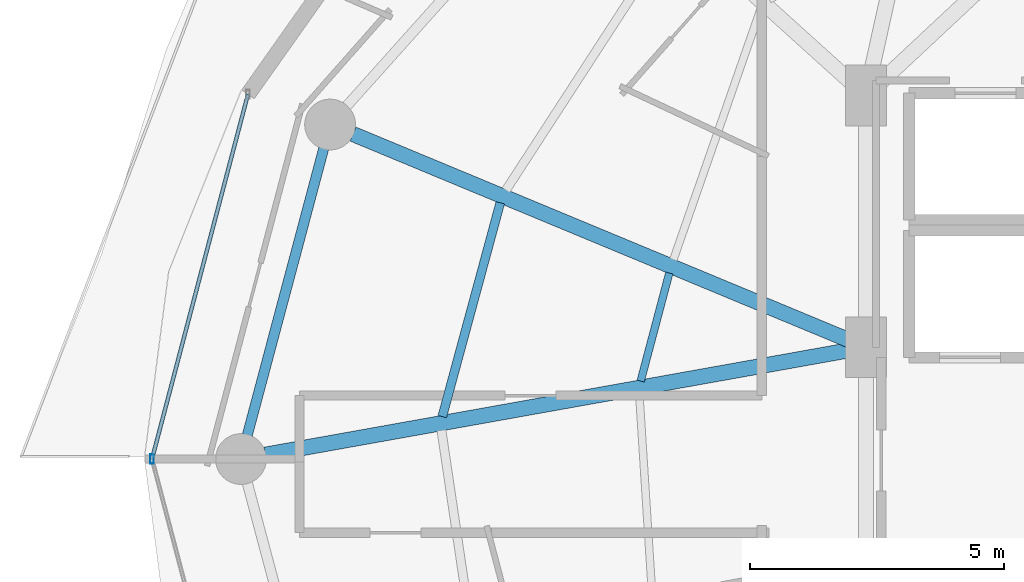
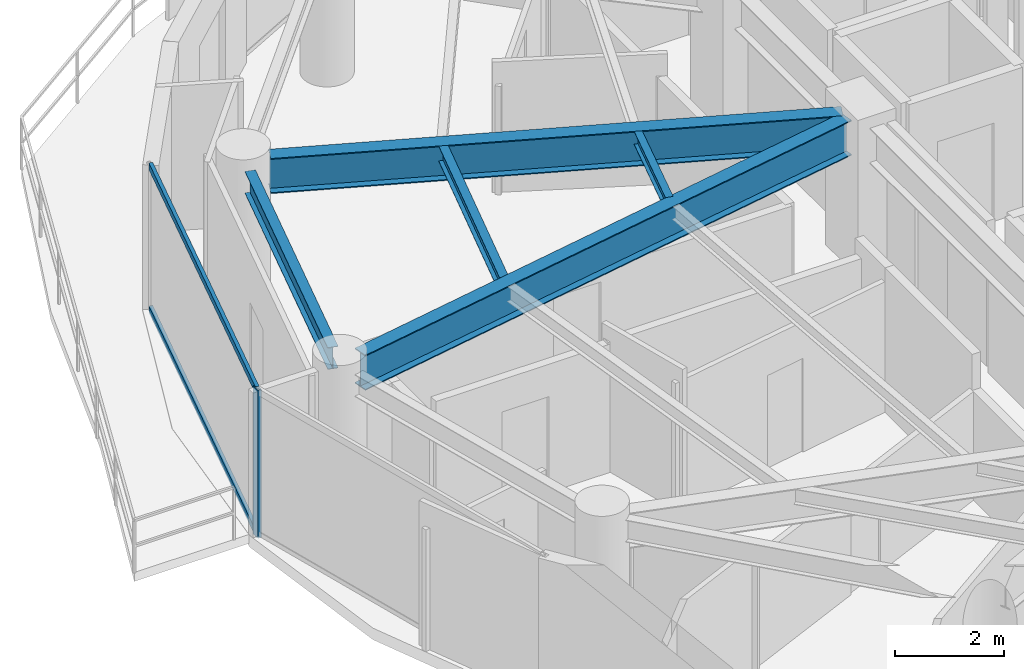
# One storey, part 8 of 31: 5 beams, 3 members, 1 element without a shape of its own.
"""IFC4 building model written with IfcOpenShell, lengths in metres."""

from ifc_helpers import new_model, si_unit, direction, frame, origin, origin_2d, place, context, subcontext, project, spatial, hollow_rectangle, i_section, extrude, material, material_profile, profile_set, type_object, element, aggregate, save


model = new_model("IFC4")

# Units and contexts
model_context = context("Model", 3, precision=1e-05, world=origin(), true_north=direction((0.0, 1.0)))
body_context = subcontext(model_context, "Body", "Model", "MODEL_VIEW")
ifc_project = project(units=[si_unit("LENGTHUNIT", "METRE"), si_unit("AREAUNIT", "SQUARE_METRE"), si_unit("VOLUMEUNIT", "CUBIC_METRE"), si_unit("PLANEANGLEUNIT", "RADIAN"), si_unit("MASSUNIT", "GRAM", prefix="KILO")], contexts=[model_context])

# Site, building, storey
site_placement = place(None, origin())
site = spatial("IfcSite", under=ifc_project, at=site_placement, CompositionType="ELEMENT")
building_placement = place(site_placement, origin())
building = spatial("IfcBuilding", under=site, at=building_placement, Name="Vorneva Point Tower", CompositionType="ELEMENT")
storey_placement = place(building_placement, frame((0.0, 0.0, 132.60009765625)))
storey = spatial("IfcBuildingStorey", under=building, at=storey_placement, Name="L35", CompositionType="ELEMENT", Elevation=132.60009765625)

# Beams
ifc_material_1 = material(Name="Steel S355", Category="steel")
ifc_material_profile_1 = material_profile(ifc_material_1, i_section(OverallWidth=0.300048828125, OverallDepth=0.7880859375, WebThickness=0.014404296875, FlangeThickness=0.02197265625, at=origin_2d()), Name="80Sh1")
ifc_profile_set_1 = profile_set([ifc_material_profile_1], Name="Steel S355")
beam_type_1 = type_object("IfcBeamType", Name="BM-GRD-80Sh1", PredefinedType="USERDEFINED", material=ifc_profile_set_1)
beam_1_placement = place(storey_placement, frame((17.1552734375, 32.39501953125, 2.845947265625), z_axis=(0.923440676596, -0.383741210723, 0.0), x_axis=(0.383741210723, 0.923440676596, 0.0)))
element("IfcBeam", 1, at=beam_1_placement, inside=storey, type_object=beam_type_1, Name="L35 Radial Primary Girder 08", ObjectType="GIRDER", PredefinedType="USERDEFINED", context=body_context, shape_type="SweptSolid", body=[
    extrude(i_section(OverallWidth=0.300048828125, OverallDepth=0.7880859375, WebThickness=0.014404296875, FlangeThickness=0.02197265625, at=origin_2d()), origin(), (0.0, 0.0, 1.0), 10.591552734375),
])
beam_2_placement = place(storey_placement, frame((15.430419921875, 26.0859375, 2.845947265625), z_axis=(0.984378132756, 0.176067293249, 0.0), x_axis=(-0.176067293249, 0.984378132756, 0.0)))
element("IfcBeam", 2, at=beam_2_placement, inside=storey, type_object=beam_type_1, Name="L35 Radial Primary Girder 09", ObjectType="GIRDER", PredefinedType="USERDEFINED", context=body_context, shape_type="SweptSolid", body=[
    extrude(i_section(OverallWidth=0.300048828125, OverallDepth=0.7880859375, WebThickness=0.014404296875, FlangeThickness=0.02197265625, at=origin_2d()), origin(), (0.0, 0.0, 1.0), 11.667236328125),
])
ifc_material_profile_2 = material_profile(ifc_material_1, i_section(OverallWidth=0.14892578125, OverallDepth=0.298095703125, WebThickness=0.005615234375, FlangeThickness=0.008056640625, at=origin_2d()), Name="30B1")
ifc_profile_set_2 = profile_set([ifc_material_profile_2], Name="Steel S355")
beam_type_2 = type_object("IfcBeamType", Name="BM-JST-30B1", PredefinedType="JOIST", material=ifc_profile_set_2)
beam_3_placement = place(storey_placement, frame((23.379638671875, 29.660400390625, 3.0908203125), z_axis=(-0.25614268373, -0.966638984095, 0.0), x_axis=(0.966638984095, -0.25614268373, 0.0)))
element("IfcBeam", 3, at=beam_3_placement, inside=storey, type_object=beam_type_2, Name="L35 Secondary Floor Beam 2.08", PredefinedType="JOIST", context=body_context, shape_type="SweptSolid", body=[
    extrude(i_section(OverallWidth=0.14892578125, OverallDepth=0.298095703125, WebThickness=0.005615234375, FlangeThickness=0.008056640625, at=origin_2d()), origin(), (0.0, 0.0, 1.0), 2.199951171875),
])
ifc_material_profile_3 = material_profile(ifc_material_1, i_section(OverallWidth=0.174072265625, OverallDepth=0.345947265625, WebThickness=0.006103515625, FlangeThickness=0.009033203125, at=origin_2d()), Name="35B1")
ifc_profile_set_3 = profile_set([ifc_material_profile_3], Name="Steel S355")
beam_type_3 = type_object("IfcBeamType", Name="BM-SEC-35B1", PredefinedType="BEAM", material=ifc_profile_set_3)
beam_4_placement = place(storey_placement, frame((20.05322265625, 31.04248046875, 3.06689453125), z_axis=(-0.261766569984, -0.965131215348, 0.0), x_axis=(0.965131215348, -0.261766569984, 0.0)))
element("IfcBeam", 4, at=beam_4_placement, inside=storey, type_object=beam_type_3, Name="L35 Secondary Floor Beam 1.08", PredefinedType="BEAM", context=body_context, shape_type="SweptSolid", body=[
    extrude(i_section(OverallWidth=0.174072265625, OverallDepth=0.345947265625, WebThickness=0.006103515625, FlangeThickness=0.009033203125, at=origin_2d()), origin(), (0.0, 0.0, 1.0), 4.359375),
])
ifc_material_profile_4 = material_profile(ifc_material_1, i_section(OverallWidth=0.199951171875, OverallDepth=0.491943359375, WebThickness=0.0087890625, FlangeThickness=0.011962890625, at=origin_2d()), Name="50B1")
ifc_profile_set_4 = profile_set([ifc_material_profile_4], Name="Steel S355")
beam_type_4 = type_object("IfcBeamType", Name="BM-SPN-50B1", PredefinedType="SPANDREL", material=ifc_profile_set_4)
beam_5_placement = place(storey_placement, frame((16.57958984375, 32.113525390625, 2.993896484375), z_axis=(-0.257550804648, -0.966264758245, 0.0), x_axis=(0.966264758245, -0.257550804648, 0.0)))
element("IfcBeam", 5, at=beam_5_placement, inside=storey, type_object=beam_type_4, Name="L35 Perimeter Spandrel Ring Beam 08", PredefinedType="SPANDREL", context=body_context, shape_type="SweptSolid", body=[
    extrude(i_section(OverallWidth=0.199951171875, OverallDepth=0.491943359375, WebThickness=0.0087890625, FlangeThickness=0.011962890625, at=origin_2d()), origin(), (0.0, 0.0, 1.0), 5.842041015625),
])

# Curtain wall, members
ifc_material_2 = material(Name="Pale anodised aluminium", Category="aluminium")
curtain_wall_type = type_object("IfcCurtainWallType", Name="CW-RES-SYS", PredefinedType="NOTDEFINED", material=ifc_material_2)
curtain_wall_placement = place(storey_placement, origin())
curtain_wall = element("IfcCurtainWall", 6, at=curtain_wall_placement, inside=storey, type_object=curtain_wall_type, Name="L35 Unitised Curtain Wall CW-L35-R03", PredefinedType="NOTDEFINED")
ifc_material_profile_5 = material_profile(ifc_material_2, hollow_rectangle(XDim=0.074951171875, YDim=0.179931640625, WallThickness=0.00390625, at=origin_2d()), Name="AL-MUL 180x75x4")
ifc_profile_set_5 = profile_set([ifc_material_profile_5], Name="Pale anodised aluminium")
member_type_1 = type_object("IfcMemberType", Name="CW-MUL-180", PredefinedType="MULLION", material=ifc_profile_set_5)
member_1_placement = place(storey_placement, frame((13.199951171875, 26.0, -0.0400390625), z_axis=(0.0, 0.0, 1.0), x_axis=(1.0, 0.0, 0.0)))
member_1 = element("IfcMember", 7, at=member_1_placement, type_object=member_type_1, Name="CW-L35-R03 Mullion 02", PredefinedType="MULLION", context=body_context, shape_type="SweptSolid", body=[
    extrude(hollow_rectangle(XDim=0.074951171875, YDim=0.179931640625, WallThickness=0.00390625, at=origin_2d()), origin(), (0.0, 0.0, 1.0), 3.31005859375),
])
ifc_material_profile_6 = material_profile(ifc_material_2, hollow_rectangle(XDim=0.074951171875, YDim=0.14990234375, WallThickness=0.00390625, at=origin_2d()), Name="AL-TRN 150x75x4")
ifc_profile_set_6 = profile_set([ifc_material_profile_6], Name="Pale anodised aluminium")
member_type_2 = type_object("IfcMemberType", Name="CW-TRN-150", PredefinedType="USERDEFINED", material=ifc_profile_set_6)
member_2_placement = place(storey_placement, frame((15.087890625, 33.17529296875, 0.02001953125), z_axis=(-0.254456046293, -0.967084339913, 0.0), x_axis=(0.967084339913, -0.254456046293, 0.0)))
member_2 = element("IfcMember", 8, at=member_2_placement, type_object=member_type_2, Name="CW-L35-R03 Transom 01.1", ObjectType="TRANSOM", PredefinedType="USERDEFINED", context=body_context, shape_type="SweptSolid", body=[
    extrude(hollow_rectangle(XDim=0.074951171875, YDim=0.14990234375, WallThickness=0.00390625, at=origin_2d()), origin(), (0.0, 0.0, 1.0), 7.41943359375),
])
member_3_placement = place(storey_placement, frame((15.087890625, 33.17529296875, 3.219970703125), z_axis=(-0.254456046293, -0.967084339913, 0.0), x_axis=(0.967084339913, -0.254456046293, 0.0)))
member_3 = element("IfcMember", 9, at=member_3_placement, type_object=member_type_2, Name="CW-L35-R03 Transom 01.2", ObjectType="TRANSOM", PredefinedType="USERDEFINED", context=body_context, shape_type="SweptSolid", body=[
    extrude(hollow_rectangle(XDim=0.074951171875, YDim=0.14990234375, WallThickness=0.00390625, at=origin_2d()), origin(), (0.0, 0.0, 1.0), 7.41943359375),
])
aggregate(curtain_wall, [member_1, member_2, member_3])

save(model, "model.ifc")
